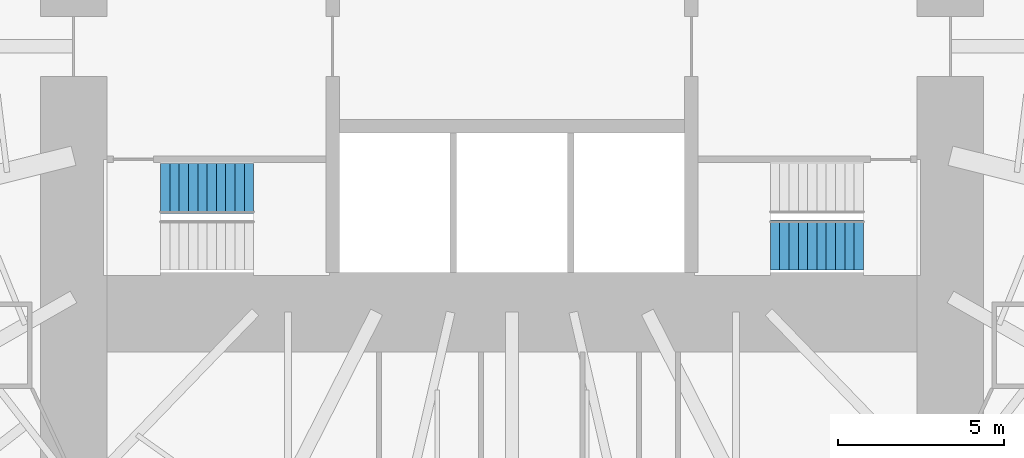
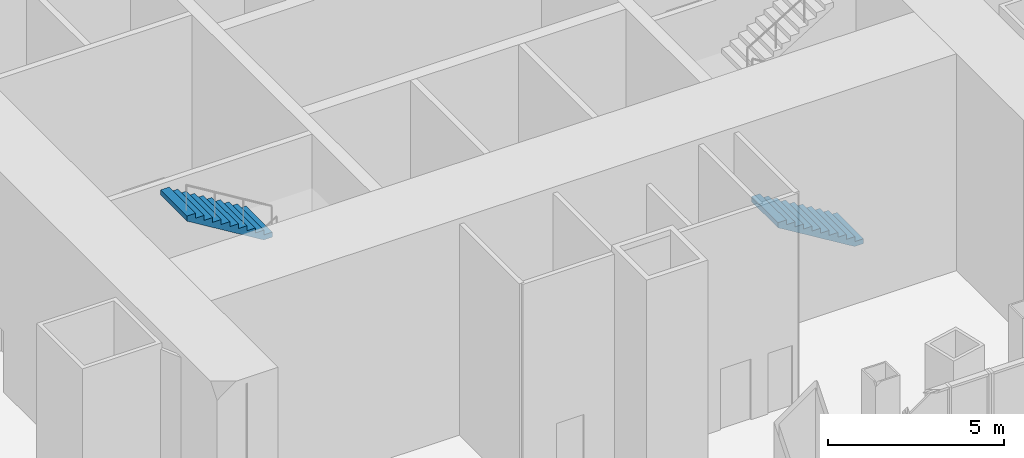
# One storey, part 31 of 73: 2 stair flights, 2 elements without a shape of their own.
"""IFC4 building model written with IfcOpenShell, lengths in metres."""

import ifcopenshell
import ifcopenshell.guid

model = None  # the IFC model being written
_history = None  # IfcOwnerHistory: only IFC2X3 demands one
_inside = {}  # id of a spatial element -> (the spatial element, [elements in it])
_under = {}  # id of a project, library or spatial element -> (it, [spatial elements below it])
_declared = {}  # id of a project -> (the project, [libraries it declares])
_typed = {}  # id of a type object -> (the type object, [elements of that type])
_made_of = {}  # id of a material, layer set ... -> (it, [elements and type objects made of it])


def new_model(schema):
    """Start an empty IFC model of exactly this schema.

    Asked for "IFC4X3", IfcOpenShell would pick the latest addendum, in which some entities
    have other attributes; the version numbers below select the first issue.
    IFC2X3 requires an IfcOwnerHistory on every rooted entity: one is made here for all.
    """
    global model, _history
    if schema == "IFC4X3":
        model = ifcopenshell.file(schema_version=(4, 3, 0, 0))
    else:
        model = ifcopenshell.file(schema=schema)
    _inside.clear()
    _under.clear()
    _declared.clear()
    _typed.clear()
    _made_of.clear()
    _history = None
    if model.schema == "IFC2X3":
        org = make("IfcOrganization", Name="unknown")
        user = make(
            "IfcPersonAndOrganization",
            ThePerson=make("IfcPerson", FamilyName="unknown"),
            TheOrganization=org,
        )
        app = make(
            "IfcApplication",
            ApplicationDeveloper=org,
            Version="unknown",
            ApplicationFullName="unknown",
            ApplicationIdentifier="unknown",
        )
        _history = make(
            "IfcOwnerHistory",
            OwningUser=user,
            OwningApplication=app,
            ChangeAction="ADDED",
            CreationDate=0,
        )
    return model


def make(cls, **values):
    """One entity of the class cls with the attributes given. An attribute that is None is left unset."""
    return model.create_entity(
        cls, **{name: value for name, value in values.items() if value is not None}
    )


def rooted(cls, **values):
    """An entity with a GlobalId (a new one), such as an element, a storey or a relation."""
    return make(cls, GlobalId=ifcopenshell.guid.new(), OwnerHistory=_history, **values)


def si_unit(unit_type, name, prefix=None):
    """IfcSIUnit, for example si_unit("LENGTHUNIT", "METRE", prefix="MILLI")."""
    return make("IfcSIUnit", UnitType=unit_type, Prefix=prefix, Name=name)


def assignment(units):
    """IfcUnitAssignment: the units of a project."""
    return None if units is None else make("IfcUnitAssignment", Units=units)


def point(xyz):
    """IfcCartesianPoint."""
    return None if xyz is None else make("IfcCartesianPoint", Coordinates=xyz)


def direction(xyz):
    """IfcDirection."""
    return None if xyz is None else make("IfcDirection", DirectionRatios=xyz)


def frame(location, z_axis=None, x_axis=None):
    """IfcAxis2Placement3D, a coordinate frame: its origin and axes. An axis left out is left unset."""
    return make(
        "IfcAxis2Placement3D",
        Location=point(location),
        Axis=direction(z_axis),
        RefDirection=direction(x_axis),
    )


def origin():
    """The frame at (0, 0, 0) with its axes left unset."""
    return frame((0.0, 0.0, 0.0))


def place(relative_to, where):
    """IfcLocalPlacement: puts the frame where relative to a parent placement (None: the world)."""
    return make(
        "IfcLocalPlacement", PlacementRelTo=relative_to, RelativePlacement=where
    )


def context(
    kind, dimensions, precision=None, world=None, true_north=None, identifier=None
):
    """IfcGeometricRepresentationContext, for example the 3D "Model" context."""
    return make(
        "IfcGeometricRepresentationContext",
        ContextIdentifier=identifier,
        ContextType=kind,
        CoordinateSpaceDimension=dimensions,
        Precision=precision,
        WorldCoordinateSystem=world,
        TrueNorth=true_north,
    )


def subcontext(parent, identifier, kind, view, scale=None):
    """IfcGeometricRepresentationSubContext, for example "Body" below "Model"."""
    return make(
        "IfcGeometricRepresentationSubContext",
        ContextIdentifier=identifier,
        ContextType=kind,
        ParentContext=parent,
        TargetScale=scale,
        TargetView=view,
    )


def project(units=None, contexts=None):
    """IfcProject with its units and contexts."""
    return rooted(
        "IfcProject",
        Name="project",
        RepresentationContexts=contexts,
        UnitsInContext=assignment(units),
    )


def spatial(cls, under=None, at=None, **own):
    """A site, building, storey or space (cls), placed at a placement, below another one or the project."""
    s = rooted(cls, ObjectPlacement=at, **own)
    if under is not None:
        _under.setdefault(under.id(), (under, []))[1].append(s)
    return s


def point_list(points):
    """IfcCartesianPointList2D or 3D."""
    cls = (
        "IfcCartesianPointList2D" if len(points[0]) == 2 else "IfcCartesianPointList3D"
    )
    return make(cls, CoordList=points)


def triangles(points, corners, closed=None, point_numbers=None):
    """IfcTriangulatedFaceSet: each triangle names its three corners, points numbered from 1."""
    return make(
        "IfcTriangulatedFaceSet",
        Coordinates=point_list(points),
        Closed=closed,
        CoordIndex=corners,
        PnIndex=point_numbers,
    )


def shape(context_of_items, identifier, shape_type, items):
    """IfcShapeRepresentation: the items that make up one representation, for example the "Body"."""
    return make(
        "IfcShapeRepresentation",
        ContextOfItems=context_of_items,
        RepresentationIdentifier=identifier,
        RepresentationType=shape_type,
        Items=items,
    )


def material(Name=None, Category=None):
    """IfcMaterial."""
    return make("IfcMaterial", Name=Name, Category=Category)


def made_of(thing, what):
    """Note that an element or type object is made of a material, layer set ...; save() writes the relation."""
    if what is not None:
        _made_of.setdefault(what.id(), (what, []))[1].append(thing)
    return thing


def type_object(cls, material=None, **own):
    """A type object (cls), such as IfcWallType, which elements share."""
    return made_of(rooted(cls, **own), material)


def element(
    cls,
    number,
    at=None,
    inside=None,
    cuts=None,
    type_object=None,
    material=None,
    context=None,
    identifier="Body",
    shape_type=None,
    held_by="IfcProductDefinitionShape",
    body=None,
    shapes=None,
    **own,
):
    """One element of the class cls, such as IfcWall. Its Tag is "e" and its number.

    at: its placement. inside: the storey or other place that contains it. cuts: it is an
    opening in that element (IfcRelVoidsElement). A single representation is given by context,
    identifier, shape_type and body (its items); several are given by shapes. held_by: the class
    of the entity that holds the representations. save() writes the other relations.
    """
    e = rooted(cls, Tag="e%d" % number, ObjectPlacement=at, **own)
    if body is not None:
        shapes = [shape(context, identifier, shape_type, body)]
    if shapes is not None:
        e.Representation = make(held_by, Representations=shapes)
    if inside is not None:
        _inside.setdefault(inside.id(), (inside, []))[1].append(e)
    if cuts is not None:
        rooted(
            "IfcRelVoidsElement", RelatingBuildingElement=cuts, RelatedOpeningElement=e
        )
    if type_object is not None:
        _typed.setdefault(type_object.id(), (type_object, []))[1].append(e)
    return made_of(e, material)


def aggregate(whole, parts):
    """IfcRelAggregates: a whole, such as a stair, and the parts it consists of."""
    return rooted("IfcRelAggregates", RelatingObject=whole, RelatedObjects=parts)


def save(model, path):
    """Write the relations noted so far, then the file.

    IfcRelAggregates (storeys below a building ...), IfcRelContainedInSpatialStructure (elements
    in a storey), IfcRelDefinesByType, IfcRelAssociatesMaterial and IfcRelDeclares: one each for
    every whole, place, type object, material and project.
    """
    for whole, parts in _under.values():
        aggregate(whole, parts)
    for where, things in _inside.values():
        rooted(
            "IfcRelContainedInSpatialStructure",
            RelatedElements=things,
            RelatingStructure=where,
        )
    for kind, things in _typed.values():
        rooted("IfcRelDefinesByType", RelatedObjects=things, RelatingType=kind)
    for what, things in _made_of.values():
        rooted("IfcRelAssociatesMaterial", RelatedObjects=things, RelatingMaterial=what)
    for by, libraries in _declared.values():
        rooted("IfcRelDeclares", RelatingContext=by, RelatedDefinitions=libraries)
    model.write(path)


model = new_model("IFC4")

# Units and contexts
model_context = context("Model", 3, precision=1e-05, world=origin(), true_north=direction((0.0, 1.0)))
body_context = subcontext(model_context, "Body", "Model", "MODEL_VIEW")
ifc_project = project(units=[si_unit("LENGTHUNIT", "METRE"), si_unit("AREAUNIT", "SQUARE_METRE"), si_unit("VOLUMEUNIT", "CUBIC_METRE"), si_unit("PLANEANGLEUNIT", "RADIAN"), si_unit("MASSUNIT", "GRAM", prefix="KILO")], contexts=[model_context])

# Site, building, storey
site_placement = place(None, origin())
site = spatial("IfcSite", under=ifc_project, at=site_placement, CompositionType="ELEMENT")
building_placement = place(site_placement, origin())
building = spatial("IfcBuilding", under=site, at=building_placement, Name="Lantaw Convention Tower", CompositionType="ELEMENT")
storey_placement = place(building_placement, frame((0.0, 0.0, 14.5)))
storey = spatial("IfcBuildingStorey", under=building, at=storey_placement, Name="L02", CompositionType="ELEMENT", Elevation=14.5)

# Stair, stair flight
ifc_material = material(Name="Concrete C35/45", Category="concrete")
stair_type = type_object("IfcStairType", Name="Exit stair 1500 riser 170.45 in 4 flights", PredefinedType="HALF_TURN_STAIR", material=ifc_material)
stair_1_placement = place(storey_placement, origin())
stair_1 = element("IfcStair", 1, at=stair_1_placement, inside=storey, type_object=stair_type, Name="Exit stair S1 L02", PredefinedType="HALF_TURN_STAIR")
stair_flight_type = type_object("IfcStairFlightType", Name="Stair flight 1500 riser 170.45", PredefinedType="STRAIGHT", material=ifc_material)
stair_flight_1_placement = place(storey_placement, frame((-7.780029296875, -4.280029296875, 5.625), z_axis=(0.0, 0.0, 1.0), x_axis=(-1.0, 0.0, 0.0)))
stair_flight_1 = element("IfcStairFlight", 2, at=stair_flight_1_placement, type_object=stair_flight_type, Name="S1 flight 4", NumberOfRisers=11, NumberOfTreads=10, PredefinedType="STRAIGHT", RiserHeight=0.170454545, TreadLength=0.28, context=body_context, shape_type="Tessellation", body=[
    triangles([(0.0, 0.75, 0.0), (0.0, 0.75, 0.170454545), (0.28, 0.75, 0.0), (0.28, 0.75, 0.170454545), (0.28, 0.75, 0.34090909), (0.28827876332691904, 0.75, 0.0), (0.28827876332691904, 0.75, 0.34090909), (0.56, 0.75, 0.16541471344266906), (0.56, 0.75, 0.34090909), (0.56, 0.75, 0.511363635), (0.8400000000000001, 0.75, 0.335869258442669), (0.8400000000000001, 0.75, 0.511363635), (0.8400000000000001, 0.75, 0.68181818), (1.12, 0.75, 0.506323803442669), (1.12, 0.75, 0.68181818), (1.12, 0.75, 0.8522727250000001), (1.4000000000000001, 0.75, 0.676778348442669), (1.4000000000000001, 0.75, 0.8522727250000001), (1.4000000000000001, 0.75, 1.02272727), (1.6800000000000002, 0.75, 0.847232893442669), (1.6800000000000002, 0.75, 1.02272727), (1.6800000000000002, 0.75, 1.193181815), (1.9600000000000002, 0.75, 1.017687438442669), (1.9600000000000002, 0.75, 1.193181815), (1.9600000000000002, 0.75, 1.36363636), (2.24, 0.75, 1.188141983442669), (2.24, 0.75, 1.36363636), (2.24, 0.75, 1.5340909050000002), (2.5200000000000005, 0.75, 1.358596528442669), (2.5200000000000005, 0.75, 1.5340909050000002), (2.5200000000000005, 0.75, 1.7045454500000001), (2.8000000000000003, 0.75, 1.529051073442669), (2.8000000000000003, 0.75, 1.7045454500000001), (0.0, -0.75, 0.0), (0.0, -0.75, 0.170454545), (0.28, -0.75, 0.0), (0.28, -0.75, 0.170454545), (0.28, -0.75, 0.34090909), (0.28827876332691904, -0.75, 0.0), (0.28827876332691904, -0.75, 0.34090909), (0.56, -0.75, 0.16541471344266906), (0.56, -0.75, 0.34090909), (0.56, -0.75, 0.511363635), (0.8400000000000001, -0.75, 0.335869258442669), (0.8400000000000001, -0.75, 0.511363635), (0.8400000000000001, -0.75, 0.68181818), (1.12, -0.75, 0.506323803442669), (1.12, -0.75, 0.68181818), (1.12, -0.75, 0.8522727250000001), (1.4000000000000001, -0.75, 0.676778348442669), (1.4000000000000001, -0.75, 0.8522727250000001), (1.4000000000000001, -0.75, 1.02272727), (1.6800000000000002, -0.75, 0.847232893442669), (1.6800000000000002, -0.75, 1.02272727), (1.6800000000000002, -0.75, 1.193181815), (1.9600000000000002, -0.75, 1.017687438442669), (1.9600000000000002, -0.75, 1.193181815), (1.9600000000000002, -0.75, 1.36363636), (2.24, -0.75, 1.188141983442669), (2.24, -0.75, 1.36363636), (2.24, -0.75, 1.5340909050000002), (2.5200000000000005, -0.75, 1.358596528442669), (2.5200000000000005, -0.75, 1.5340909050000002), (2.5200000000000005, -0.75, 1.7045454500000001), (2.8000000000000003, -0.75, 1.529051073442669), (2.8000000000000003, -0.75, 1.7045454500000001), (0.0, 0.15000000000000002, 0.170454545), (0.0, 0.15000000000000002, 0.0), (0.0, 0.0, 0.170454545), (0.0, 0.0, 0.0), (0.0, -0.15000000000000002, 0.170454545), (0.0, -0.15000000000000002, 0.0), (0.28, 0.15000000000000002, 0.34090909), (0.28, 0.15000000000000002, 0.170454545), (0.28, 0.0, 0.34090909), (0.28, 0.0, 0.170454545), (0.28, -0.15000000000000002, 0.34090909), (0.28, -0.15000000000000002, 0.170454545), (0.56, 0.15000000000000002, 0.511363635), (0.56, 0.15000000000000002, 0.34090909), (0.56, 0.0, 0.511363635), (0.56, 0.0, 0.34090909), (0.56, -0.15000000000000002, 0.511363635), (0.56, -0.15000000000000002, 0.34090909), (0.8400000000000001, 0.15000000000000002, 0.68181818), (0.8400000000000001, 0.15000000000000002, 0.511363635), (0.8400000000000001, 0.0, 0.68181818), (0.8400000000000001, 0.0, 0.511363635), (0.8400000000000001, -0.15000000000000002, 0.68181818), (0.8400000000000001, -0.15000000000000002, 0.511363635), (1.12, 0.15000000000000002, 0.8522727250000001), (1.12, 0.15000000000000002, 0.68181818), (1.12, 0.0, 0.8522727250000001), (1.12, 0.0, 0.68181818), (1.12, -0.15000000000000002, 0.8522727250000001), (1.12, -0.15000000000000002, 0.68181818), (1.4000000000000001, 0.15000000000000002, 1.02272727), (1.4000000000000001, 0.15000000000000002, 0.8522727250000001), (1.4000000000000001, 0.0, 1.02272727), (1.4000000000000001, 0.0, 0.8522727250000001), (1.4000000000000001, -0.15000000000000002, 1.02272727), (1.4000000000000001, -0.15000000000000002, 0.8522727250000001), (1.6800000000000002, 0.15000000000000002, 1.193181815), (1.6800000000000002, 0.15000000000000002, 1.02272727), (1.6800000000000002, 0.0, 1.193181815), (1.6800000000000002, 0.0, 1.02272727), (1.6800000000000002, -0.15000000000000002, 1.193181815), (1.6800000000000002, -0.15000000000000002, 1.02272727), (1.9600000000000002, 0.15000000000000002, 1.36363636), (1.9600000000000002, 0.15000000000000002, 1.193181815), (1.9600000000000002, 0.0, 1.36363636), (1.9600000000000002, 0.0, 1.193181815), (1.9600000000000002, -0.15000000000000002, 1.36363636), (1.9600000000000002, -0.15000000000000002, 1.193181815), (2.24, 0.15000000000000002, 1.5340909050000002), (2.24, 0.15000000000000002, 1.36363636), (2.24, 0.0, 1.5340909050000002), (2.24, 0.0, 1.36363636), (2.24, -0.15000000000000002, 1.5340909050000002), (2.24, -0.15000000000000002, 1.36363636), (2.5200000000000005, 0.15000000000000002, 1.7045454500000001), (2.5200000000000005, 0.15000000000000002, 1.5340909050000002), (2.5200000000000005, 0.0, 1.7045454500000001), (2.5200000000000005, 0.0, 1.5340909050000002), (2.5200000000000005, -0.15000000000000002, 1.7045454500000001), (2.5200000000000005, -0.15000000000000002, 1.5340909050000002), (0.28827876332691904, 0.15000000000000002, 0.34090909), (0.28827876332691904, 0.0, 0.34090909), (0.28827876332691904, -0.15000000000000002, 0.34090909), (2.8000000000000003, 0.15000000000000002, 1.7045454500000001), (2.8000000000000003, 0.0, 1.7045454500000001), (2.8000000000000003, -0.15000000000000002, 1.7045454500000001), (2.8000000000000003, 0.15000000000000002, 1.5290510734426692), (2.8000000000000003, 0.0, 1.5290510734426692), (2.8000000000000003, -0.15000000000000002, 1.5290510734426692), (2.5200000000000005, 0.15000000000000002, 1.358596528442669), (2.5200000000000005, 0.0, 1.358596528442669), (2.5200000000000005, -0.15000000000000002, 1.358596528442669), (2.24, 0.15000000000000002, 1.188141983442669), (2.24, 0.0, 1.188141983442669), (2.24, -0.15000000000000002, 1.188141983442669), (1.9600000000000002, 0.15000000000000002, 1.017687438442669), (1.9600000000000002, 0.0, 1.017687438442669), (1.9600000000000002, -0.15000000000000002, 1.017687438442669), (1.6800000000000002, 0.15000000000000002, 0.847232893442669), (1.6800000000000002, 0.0, 0.847232893442669), (1.6800000000000002, -0.15000000000000002, 0.847232893442669), (1.4000000000000001, 0.15000000000000002, 0.676778348442669), (1.4000000000000001, 0.0, 0.676778348442669), (1.4000000000000001, -0.15000000000000002, 0.676778348442669), (1.12, 0.15000000000000002, 0.506323803442669), (1.12, 0.0, 0.506323803442669), (1.12, -0.15000000000000002, 0.506323803442669), (0.8400000000000001, 0.15000000000000002, 0.335869258442669), (0.8400000000000001, 0.0, 0.335869258442669), (0.8400000000000001, -0.15000000000000002, 0.335869258442669), (0.56, 0.15000000000000002, 0.16541471344266906), (0.56, 0.0, 0.16541471344266906), (0.56, -0.15000000000000002, 0.16541471344266906), (0.28827876332691904, 0.15000000000000002, 0.0), (0.28827876332691904, 0.0, 0.0), (0.28827876332691904, -0.15000000000000002, 0.0), (0.28, 0.15000000000000002, 0.0), (0.28, 0.0, 0.0), (0.28, -0.15000000000000002, 0.0)], [[1, 4, 3], [1, 2, 4], [3, 4, 6], [4, 7, 6], [4, 5, 7], [6, 9, 8], [6, 7, 9], [8, 9, 11], [9, 12, 11], [9, 10, 12], [11, 12, 14], [12, 15, 14], [12, 13, 15], [14, 15, 17], [15, 18, 17], [15, 16, 18], [17, 18, 20], [18, 21, 20], [18, 19, 21], [20, 21, 23], [21, 24, 23], [21, 22, 24], [23, 24, 26], [24, 27, 26], [24, 25, 27], [26, 27, 29], [27, 30, 29], [27, 28, 30], [29, 30, 32], [30, 33, 32], [30, 31, 33], [34, 36, 37], [34, 37, 35], [36, 39, 37], [37, 39, 40], [37, 40, 38], [39, 41, 42], [39, 42, 40], [41, 44, 42], [42, 44, 45], [42, 45, 43], [44, 47, 45], [45, 47, 48], [45, 48, 46], [47, 50, 48], [48, 50, 51], [48, 51, 49], [50, 53, 51], [51, 53, 54], [51, 54, 52], [53, 56, 54], [54, 56, 57], [54, 57, 55], [56, 59, 57], [57, 59, 60], [57, 60, 58], [59, 62, 60], [60, 62, 63], [60, 63, 61], [62, 65, 63], [63, 65, 66], [63, 66, 64], [1, 67, 2], [1, 68, 67], [68, 69, 67], [68, 70, 69], [70, 71, 69], [70, 72, 71], [72, 35, 71], [72, 34, 35], [4, 73, 5], [4, 74, 73], [74, 75, 73], [74, 76, 75], [76, 77, 75], [76, 78, 77], [78, 38, 77], [78, 37, 38], [9, 79, 10], [9, 80, 79], [80, 81, 79], [80, 82, 81], [82, 83, 81], [82, 84, 83], [84, 43, 83], [84, 42, 43], [12, 85, 13], [12, 86, 85], [86, 87, 85], [86, 88, 87], [88, 89, 87], [88, 90, 89], [90, 46, 89], [90, 45, 46], [15, 91, 16], [15, 92, 91], [92, 93, 91], [92, 94, 93], [94, 95, 93], [94, 96, 95], [96, 49, 95], [96, 48, 49], [18, 97, 19], [18, 98, 97], [98, 99, 97], [98, 100, 99], [100, 101, 99], [100, 102, 101], [102, 52, 101], [102, 51, 52], [21, 103, 22], [21, 104, 103], [104, 105, 103], [104, 106, 105], [106, 107, 105], [106, 108, 107], [108, 55, 107], [108, 54, 55], [24, 109, 25], [24, 110, 109], [110, 111, 109], [110, 112, 111], [112, 113, 111], [112, 114, 113], [114, 58, 113], [114, 57, 58], [27, 115, 28], [27, 116, 115], [116, 117, 115], [116, 118, 117], [118, 119, 117], [118, 120, 119], [120, 61, 119], [120, 60, 61], [30, 121, 31], [30, 122, 121], [122, 123, 121], [122, 124, 123], [124, 125, 123], [124, 126, 125], [126, 64, 125], [126, 63, 64], [2, 74, 4], [2, 67, 74], [67, 76, 74], [67, 69, 76], [69, 78, 76], [69, 71, 78], [71, 37, 78], [71, 35, 37], [5, 127, 7], [5, 73, 127], [73, 128, 127], [73, 75, 128], [75, 129, 128], [75, 77, 129], [77, 40, 129], [77, 38, 40], [7, 80, 9], [7, 127, 80], [127, 82, 80], [127, 128, 82], [128, 84, 82], [128, 129, 84], [129, 42, 84], [129, 40, 42], [10, 86, 12], [10, 79, 86], [79, 88, 86], [79, 81, 88], [81, 90, 88], [81, 83, 90], [83, 45, 90], [83, 43, 45], [13, 92, 15], [13, 85, 92], [85, 94, 92], [85, 87, 94], [87, 96, 94], [87, 89, 96], [89, 48, 96], [89, 46, 48], [16, 98, 18], [16, 91, 98], [91, 100, 98], [91, 93, 100], [93, 102, 100], [93, 95, 102], [95, 51, 102], [95, 49, 51], [19, 104, 21], [19, 97, 104], [97, 106, 104], [97, 99, 106], [99, 108, 106], [99, 101, 108], [101, 54, 108], [101, 52, 54], [22, 110, 24], [22, 103, 110], [103, 112, 110], [103, 105, 112], [105, 114, 112], [105, 107, 114], [107, 57, 114], [107, 55, 57], [25, 116, 27], [25, 109, 116], [109, 118, 116], [109, 111, 118], [111, 120, 118], [111, 113, 120], [113, 60, 120], [113, 58, 60], [28, 122, 30], [28, 115, 122], [115, 124, 122], [115, 117, 124], [117, 126, 124], [117, 119, 126], [119, 63, 126], [119, 61, 63], [31, 130, 33], [31, 121, 130], [121, 131, 130], [121, 123, 131], [123, 132, 131], [123, 125, 132], [125, 66, 132], [125, 64, 66], [33, 133, 32], [33, 130, 133], [130, 134, 133], [130, 131, 134], [131, 135, 134], [131, 132, 135], [132, 65, 135], [132, 66, 65], [32, 136, 29], [32, 133, 136], [133, 137, 136], [133, 134, 137], [134, 138, 137], [134, 135, 138], [135, 62, 138], [135, 65, 62], [29, 139, 26], [29, 136, 139], [136, 140, 139], [136, 137, 140], [137, 141, 140], [137, 138, 141], [138, 59, 141], [138, 62, 59], [26, 142, 23], [26, 139, 142], [139, 143, 142], [139, 140, 143], [140, 144, 143], [140, 141, 144], [141, 56, 144], [141, 59, 56], [23, 145, 20], [23, 142, 145], [142, 146, 145], [142, 143, 146], [143, 147, 146], [143, 144, 147], [144, 53, 147], [144, 56, 53], [20, 148, 17], [20, 145, 148], [145, 149, 148], [145, 146, 149], [146, 150, 149], [146, 147, 150], [147, 50, 150], [147, 53, 50], [17, 151, 14], [17, 148, 151], [148, 152, 151], [148, 149, 152], [149, 153, 152], [149, 150, 153], [150, 47, 153], [150, 50, 47], [14, 154, 11], [14, 151, 154], [151, 155, 154], [151, 152, 155], [152, 156, 155], [152, 153, 156], [153, 44, 156], [153, 47, 44], [11, 157, 8], [11, 154, 157], [154, 158, 157], [154, 155, 158], [155, 159, 158], [155, 156, 159], [156, 41, 159], [156, 44, 41], [8, 160, 6], [8, 157, 160], [157, 161, 160], [157, 158, 161], [158, 162, 161], [158, 159, 162], [159, 39, 162], [159, 41, 39], [6, 163, 3], [6, 160, 163], [160, 164, 163], [160, 161, 164], [161, 165, 164], [161, 162, 165], [162, 36, 165], [162, 39, 36], [3, 68, 1], [3, 163, 68], [163, 70, 68], [163, 164, 70], [164, 72, 70], [164, 165, 72], [165, 34, 72], [165, 36, 34]], closed=True),
])
aggregate(stair_1, [stair_flight_1])

stair_2_placement = place(storey_placement, origin())
stair_2 = element("IfcStair", 3, at=stair_2_placement, inside=storey, type_object=stair_type, Name="Exit stair S2 L02", PredefinedType="HALF_TURN_STAIR")
stair_flight_2_placement = place(storey_placement, frame((10.580078125, -5.97998046875, 0.0), z_axis=(0.0, 0.0, 1.0), x_axis=(-1.0, 0.0, 0.0)))
stair_flight_2 = element("IfcStairFlight", 4, at=stair_flight_2_placement, type_object=stair_flight_type, Name="S2 flight 1", NumberOfRisers=11, NumberOfTreads=10, PredefinedType="STRAIGHT", RiserHeight=0.170454545, TreadLength=0.28, context=body_context, shape_type="Tessellation", body=[
    triangles([(0.0, 0.75, 0.0), (0.0, 0.75, 0.170454545), (0.28, 0.75, 0.0), (0.28, 0.75, 0.170454545), (0.28, 0.75, 0.34090909), (0.28827876332691904, 0.75, 0.0), (0.28827876332691904, 0.75, 0.34090909), (0.56, 0.75, 0.16541471344266906), (0.56, 0.75, 0.34090909), (0.56, 0.75, 0.511363635), (0.8400000000000001, 0.75, 0.335869258442669), (0.8400000000000001, 0.75, 0.511363635), (0.8400000000000001, 0.75, 0.68181818), (1.12, 0.75, 0.506323803442669), (1.12, 0.75, 0.68181818), (1.12, 0.75, 0.8522727250000001), (1.4000000000000001, 0.75, 0.676778348442669), (1.4000000000000001, 0.75, 0.8522727250000001), (1.4000000000000001, 0.75, 1.02272727), (1.6800000000000002, 0.75, 0.847232893442669), (1.6800000000000002, 0.75, 1.02272727), (1.6800000000000002, 0.75, 1.193181815), (1.9600000000000002, 0.75, 1.017687438442669), (1.9600000000000002, 0.75, 1.193181815), (1.9600000000000002, 0.75, 1.36363636), (2.24, 0.75, 1.188141983442669), (2.24, 0.75, 1.36363636), (2.24, 0.75, 1.5340909050000002), (2.5200000000000005, 0.75, 1.358596528442669), (2.5200000000000005, 0.75, 1.5340909050000002), (2.5200000000000005, 0.75, 1.7045454500000001), (2.8000000000000003, 0.75, 1.529051073442669), (2.8000000000000003, 0.75, 1.7045454500000001), (0.0, -0.75, 0.0), (0.0, -0.75, 0.170454545), (0.28, -0.75, 0.0), (0.28, -0.75, 0.170454545), (0.28, -0.75, 0.34090909), (0.28827876332691904, -0.75, 0.0), (0.28827876332691904, -0.75, 0.34090909), (0.56, -0.75, 0.16541471344266906), (0.56, -0.75, 0.34090909), (0.56, -0.75, 0.511363635), (0.8400000000000001, -0.75, 0.335869258442669), (0.8400000000000001, -0.75, 0.511363635), (0.8400000000000001, -0.75, 0.68181818), (1.12, -0.75, 0.506323803442669), (1.12, -0.75, 0.68181818), (1.12, -0.75, 0.8522727250000001), (1.4000000000000001, -0.75, 0.676778348442669), (1.4000000000000001, -0.75, 0.8522727250000001), (1.4000000000000001, -0.75, 1.02272727), (1.6800000000000002, -0.75, 0.847232893442669), (1.6800000000000002, -0.75, 1.02272727), (1.6800000000000002, -0.75, 1.193181815), (1.9600000000000002, -0.75, 1.017687438442669), (1.9600000000000002, -0.75, 1.193181815), (1.9600000000000002, -0.75, 1.36363636), (2.24, -0.75, 1.188141983442669), (2.24, -0.75, 1.36363636), (2.24, -0.75, 1.5340909050000002), (2.5200000000000005, -0.75, 1.358596528442669), (2.5200000000000005, -0.75, 1.5340909050000002), (2.5200000000000005, -0.75, 1.7045454500000001), (2.8000000000000003, -0.75, 1.529051073442669), (2.8000000000000003, -0.75, 1.7045454500000001), (0.0, 0.15000000000000002, 0.170454545), (0.0, 0.15000000000000002, 0.0), (0.0, 0.0, 0.170454545), (0.0, 0.0, 0.0), (0.0, -0.15000000000000002, 0.170454545), (0.0, -0.15000000000000002, 0.0), (0.28, 0.15000000000000002, 0.34090909), (0.28, 0.15000000000000002, 0.170454545), (0.28, 0.0, 0.34090909), (0.28, 0.0, 0.170454545), (0.28, -0.15000000000000002, 0.34090909), (0.28, -0.15000000000000002, 0.170454545), (0.56, 0.15000000000000002, 0.511363635), (0.56, 0.15000000000000002, 0.34090909), (0.56, 0.0, 0.511363635), (0.56, 0.0, 0.34090909), (0.56, -0.15000000000000002, 0.511363635), (0.56, -0.15000000000000002, 0.34090909), (0.8400000000000001, 0.15000000000000002, 0.68181818), (0.8400000000000001, 0.15000000000000002, 0.511363635), (0.8400000000000001, 0.0, 0.68181818), (0.8400000000000001, 0.0, 0.511363635), (0.8400000000000001, -0.15000000000000002, 0.68181818), (0.8400000000000001, -0.15000000000000002, 0.511363635), (1.12, 0.15000000000000002, 0.8522727250000001), (1.12, 0.15000000000000002, 0.68181818), (1.12, 0.0, 0.8522727250000001), (1.12, 0.0, 0.68181818), (1.12, -0.15000000000000002, 0.8522727250000001), (1.12, -0.15000000000000002, 0.68181818), (1.4000000000000001, 0.15000000000000002, 1.02272727), (1.4000000000000001, 0.15000000000000002, 0.8522727250000001), (1.4000000000000001, 0.0, 1.02272727), (1.4000000000000001, 0.0, 0.8522727250000001), (1.4000000000000001, -0.15000000000000002, 1.02272727), (1.4000000000000001, -0.15000000000000002, 0.8522727250000001), (1.6800000000000002, 0.15000000000000002, 1.193181815), (1.6800000000000002, 0.15000000000000002, 1.02272727), (1.6800000000000002, 0.0, 1.193181815), (1.6800000000000002, 0.0, 1.02272727), (1.6800000000000002, -0.15000000000000002, 1.193181815), (1.6800000000000002, -0.15000000000000002, 1.02272727), (1.9600000000000002, 0.15000000000000002, 1.36363636), (1.9600000000000002, 0.15000000000000002, 1.193181815), (1.9600000000000002, 0.0, 1.36363636), (1.9600000000000002, 0.0, 1.193181815), (1.9600000000000002, -0.15000000000000002, 1.36363636), (1.9600000000000002, -0.15000000000000002, 1.193181815), (2.24, 0.15000000000000002, 1.5340909050000002), (2.24, 0.15000000000000002, 1.36363636), (2.24, 0.0, 1.5340909050000002), (2.24, 0.0, 1.36363636), (2.24, -0.15000000000000002, 1.5340909050000002), (2.24, -0.15000000000000002, 1.36363636), (2.5200000000000005, 0.15000000000000002, 1.7045454500000001), (2.5200000000000005, 0.15000000000000002, 1.5340909050000002), (2.5200000000000005, 0.0, 1.7045454500000001), (2.5200000000000005, 0.0, 1.5340909050000002), (2.5200000000000005, -0.15000000000000002, 1.7045454500000001), (2.5200000000000005, -0.15000000000000002, 1.5340909050000002), (0.28827876332691904, 0.15000000000000002, 0.34090909), (0.28827876332691904, 0.0, 0.34090909), (0.28827876332691904, -0.15000000000000002, 0.34090909), (2.8000000000000003, 0.15000000000000002, 1.7045454500000001), (2.8000000000000003, 0.0, 1.7045454500000001), (2.8000000000000003, -0.15000000000000002, 1.7045454500000001), (2.8000000000000003, 0.15000000000000002, 1.5290510734426692), (2.8000000000000003, 0.0, 1.5290510734426692), (2.8000000000000003, -0.15000000000000002, 1.5290510734426692), (2.5200000000000005, 0.15000000000000002, 1.358596528442669), (2.5200000000000005, 0.0, 1.358596528442669), (2.5200000000000005, -0.15000000000000002, 1.358596528442669), (2.24, 0.15000000000000002, 1.188141983442669), (2.24, 0.0, 1.188141983442669), (2.24, -0.15000000000000002, 1.188141983442669), (1.9600000000000002, 0.15000000000000002, 1.017687438442669), (1.9600000000000002, 0.0, 1.017687438442669), (1.9600000000000002, -0.15000000000000002, 1.017687438442669), (1.6800000000000002, 0.15000000000000002, 0.847232893442669), (1.6800000000000002, 0.0, 0.847232893442669), (1.6800000000000002, -0.15000000000000002, 0.847232893442669), (1.4000000000000001, 0.15000000000000002, 0.676778348442669), (1.4000000000000001, 0.0, 0.676778348442669), (1.4000000000000001, -0.15000000000000002, 0.676778348442669), (1.12, 0.15000000000000002, 0.506323803442669), (1.12, 0.0, 0.506323803442669), (1.12, -0.15000000000000002, 0.506323803442669), (0.8400000000000001, 0.15000000000000002, 0.335869258442669), (0.8400000000000001, 0.0, 0.335869258442669), (0.8400000000000001, -0.15000000000000002, 0.335869258442669), (0.56, 0.15000000000000002, 0.16541471344266906), (0.56, 0.0, 0.16541471344266906), (0.56, -0.15000000000000002, 0.16541471344266906), (0.28827876332691904, 0.15000000000000002, 0.0), (0.28827876332691904, 0.0, 0.0), (0.28827876332691904, -0.15000000000000002, 0.0), (0.28, 0.15000000000000002, 0.0), (0.28, 0.0, 0.0), (0.28, -0.15000000000000002, 0.0)], [[1, 4, 3], [1, 2, 4], [3, 4, 6], [4, 7, 6], [4, 5, 7], [6, 9, 8], [6, 7, 9], [8, 9, 11], [9, 12, 11], [9, 10, 12], [11, 12, 14], [12, 15, 14], [12, 13, 15], [14, 15, 17], [15, 18, 17], [15, 16, 18], [17, 18, 20], [18, 21, 20], [18, 19, 21], [20, 21, 23], [21, 24, 23], [21, 22, 24], [23, 24, 26], [24, 27, 26], [24, 25, 27], [26, 27, 29], [27, 30, 29], [27, 28, 30], [29, 30, 32], [30, 33, 32], [30, 31, 33], [34, 36, 37], [34, 37, 35], [36, 39, 37], [37, 39, 40], [37, 40, 38], [39, 41, 42], [39, 42, 40], [41, 44, 42], [42, 44, 45], [42, 45, 43], [44, 47, 45], [45, 47, 48], [45, 48, 46], [47, 50, 48], [48, 50, 51], [48, 51, 49], [50, 53, 51], [51, 53, 54], [51, 54, 52], [53, 56, 54], [54, 56, 57], [54, 57, 55], [56, 59, 57], [57, 59, 60], [57, 60, 58], [59, 62, 60], [60, 62, 63], [60, 63, 61], [62, 65, 63], [63, 65, 66], [63, 66, 64], [1, 67, 2], [1, 68, 67], [68, 69, 67], [68, 70, 69], [70, 71, 69], [70, 72, 71], [72, 35, 71], [72, 34, 35], [4, 73, 5], [4, 74, 73], [74, 75, 73], [74, 76, 75], [76, 77, 75], [76, 78, 77], [78, 38, 77], [78, 37, 38], [9, 79, 10], [9, 80, 79], [80, 81, 79], [80, 82, 81], [82, 83, 81], [82, 84, 83], [84, 43, 83], [84, 42, 43], [12, 85, 13], [12, 86, 85], [86, 87, 85], [86, 88, 87], [88, 89, 87], [88, 90, 89], [90, 46, 89], [90, 45, 46], [15, 91, 16], [15, 92, 91], [92, 93, 91], [92, 94, 93], [94, 95, 93], [94, 96, 95], [96, 49, 95], [96, 48, 49], [18, 97, 19], [18, 98, 97], [98, 99, 97], [98, 100, 99], [100, 101, 99], [100, 102, 101], [102, 52, 101], [102, 51, 52], [21, 103, 22], [21, 104, 103], [104, 105, 103], [104, 106, 105], [106, 107, 105], [106, 108, 107], [108, 55, 107], [108, 54, 55], [24, 109, 25], [24, 110, 109], [110, 111, 109], [110, 112, 111], [112, 113, 111], [112, 114, 113], [114, 58, 113], [114, 57, 58], [27, 115, 28], [27, 116, 115], [116, 117, 115], [116, 118, 117], [118, 119, 117], [118, 120, 119], [120, 61, 119], [120, 60, 61], [30, 121, 31], [30, 122, 121], [122, 123, 121], [122, 124, 123], [124, 125, 123], [124, 126, 125], [126, 64, 125], [126, 63, 64], [2, 74, 4], [2, 67, 74], [67, 76, 74], [67, 69, 76], [69, 78, 76], [69, 71, 78], [71, 37, 78], [71, 35, 37], [5, 127, 7], [5, 73, 127], [73, 128, 127], [73, 75, 128], [75, 129, 128], [75, 77, 129], [77, 40, 129], [77, 38, 40], [7, 80, 9], [7, 127, 80], [127, 82, 80], [127, 128, 82], [128, 84, 82], [128, 129, 84], [129, 42, 84], [129, 40, 42], [10, 86, 12], [10, 79, 86], [79, 88, 86], [79, 81, 88], [81, 90, 88], [81, 83, 90], [83, 45, 90], [83, 43, 45], [13, 92, 15], [13, 85, 92], [85, 94, 92], [85, 87, 94], [87, 96, 94], [87, 89, 96], [89, 48, 96], [89, 46, 48], [16, 98, 18], [16, 91, 98], [91, 100, 98], [91, 93, 100], [93, 102, 100], [93, 95, 102], [95, 51, 102], [95, 49, 51], [19, 104, 21], [19, 97, 104], [97, 106, 104], [97, 99, 106], [99, 108, 106], [99, 101, 108], [101, 54, 108], [101, 52, 54], [22, 110, 24], [22, 103, 110], [103, 112, 110], [103, 105, 112], [105, 114, 112], [105, 107, 114], [107, 57, 114], [107, 55, 57], [25, 116, 27], [25, 109, 116], [109, 118, 116], [109, 111, 118], [111, 120, 118], [111, 113, 120], [113, 60, 120], [113, 58, 60], [28, 122, 30], [28, 115, 122], [115, 124, 122], [115, 117, 124], [117, 126, 124], [117, 119, 126], [119, 63, 126], [119, 61, 63], [31, 130, 33], [31, 121, 130], [121, 131, 130], [121, 123, 131], [123, 132, 131], [123, 125, 132], [125, 66, 132], [125, 64, 66], [33, 133, 32], [33, 130, 133], [130, 134, 133], [130, 131, 134], [131, 135, 134], [131, 132, 135], [132, 65, 135], [132, 66, 65], [32, 136, 29], [32, 133, 136], [133, 137, 136], [133, 134, 137], [134, 138, 137], [134, 135, 138], [135, 62, 138], [135, 65, 62], [29, 139, 26], [29, 136, 139], [136, 140, 139], [136, 137, 140], [137, 141, 140], [137, 138, 141], [138, 59, 141], [138, 62, 59], [26, 142, 23], [26, 139, 142], [139, 143, 142], [139, 140, 143], [140, 144, 143], [140, 141, 144], [141, 56, 144], [141, 59, 56], [23, 145, 20], [23, 142, 145], [142, 146, 145], [142, 143, 146], [143, 147, 146], [143, 144, 147], [144, 53, 147], [144, 56, 53], [20, 148, 17], [20, 145, 148], [145, 149, 148], [145, 146, 149], [146, 150, 149], [146, 147, 150], [147, 50, 150], [147, 53, 50], [17, 151, 14], [17, 148, 151], [148, 152, 151], [148, 149, 152], [149, 153, 152], [149, 150, 153], [150, 47, 153], [150, 50, 47], [14, 154, 11], [14, 151, 154], [151, 155, 154], [151, 152, 155], [152, 156, 155], [152, 153, 156], [153, 44, 156], [153, 47, 44], [11, 157, 8], [11, 154, 157], [154, 158, 157], [154, 155, 158], [155, 159, 158], [155, 156, 159], [156, 41, 159], [156, 44, 41], [8, 160, 6], [8, 157, 160], [157, 161, 160], [157, 158, 161], [158, 162, 161], [158, 159, 162], [159, 39, 162], [159, 41, 39], [6, 163, 3], [6, 160, 163], [160, 164, 163], [160, 161, 164], [161, 165, 164], [161, 162, 165], [162, 36, 165], [162, 39, 36], [3, 68, 1], [3, 163, 68], [163, 70, 68], [163, 164, 70], [164, 72, 70], [164, 165, 72], [165, 34, 72], [165, 36, 34]], closed=True),
])
aggregate(stair_2, [stair_flight_2])

save(model, "model.ifc")
